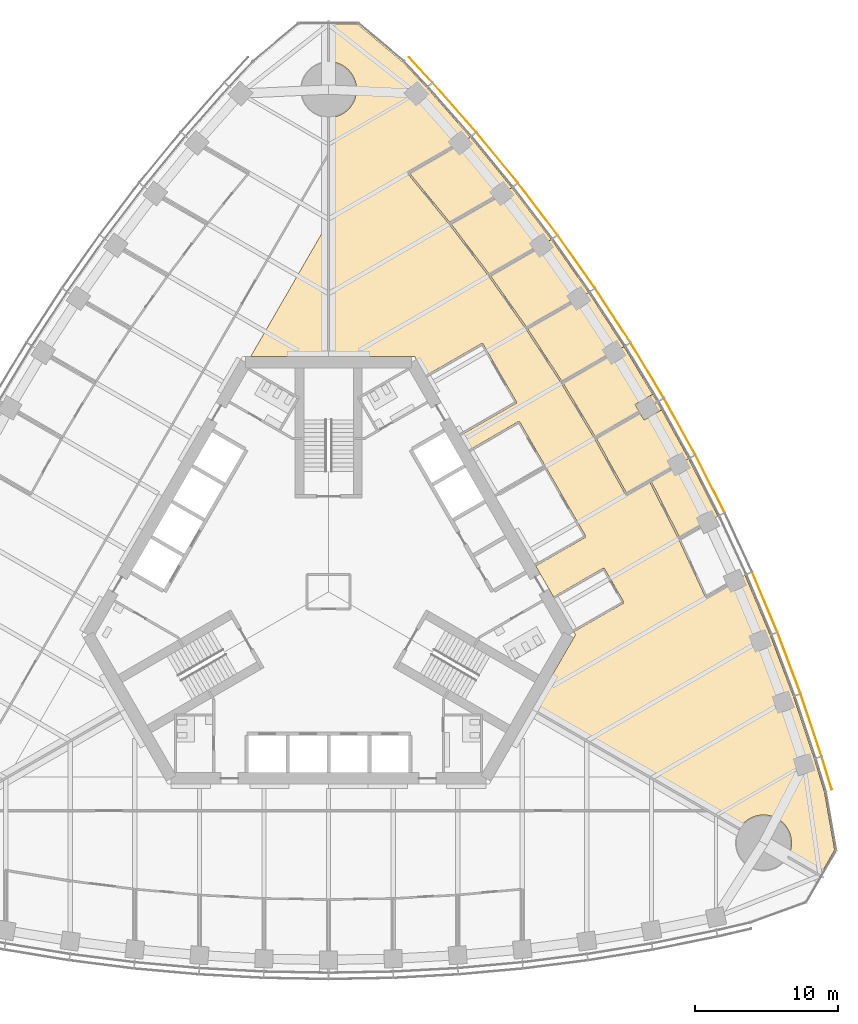
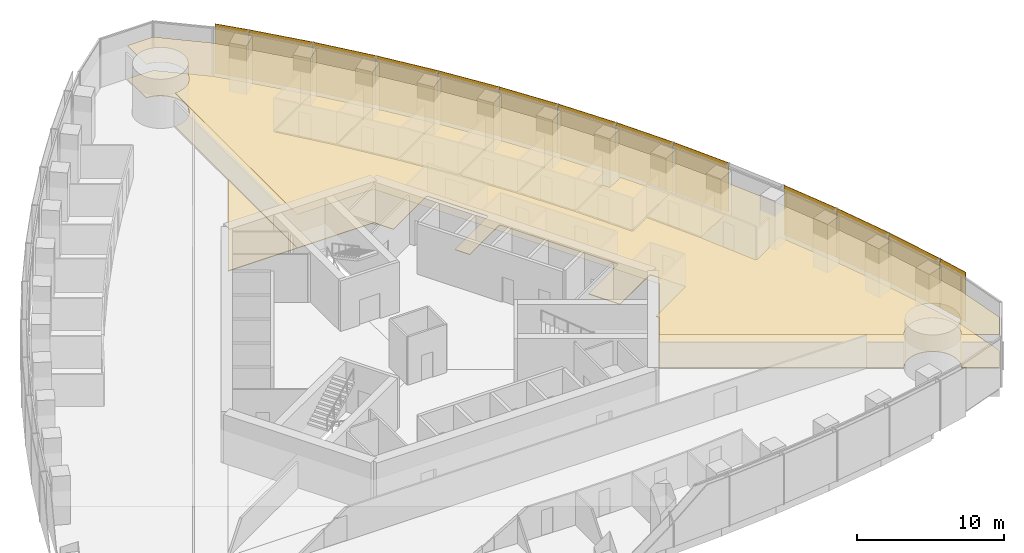
# One storey, part 19 of 21: 13 shading devices, 10 coverings.
"""IFC4 building model written with IfcOpenShell, lengths in metres."""

import ifcopenshell
import ifcopenshell.guid

model = None  # the IFC model being written
_history = None  # IfcOwnerHistory: only IFC2X3 demands one
_inside = {}  # id of a spatial element -> (the spatial element, [elements in it])
_under = {}  # id of a project, library or spatial element -> (it, [spatial elements below it])
_declared = {}  # id of a project -> (the project, [libraries it declares])
_typed = {}  # id of a type object -> (the type object, [elements of that type])
_made_of = {}  # id of a material, layer set ... -> (it, [elements and type objects made of it])


def new_model(schema):
    """Start an empty IFC model of exactly this schema.

    Asked for "IFC4X3", IfcOpenShell would pick the latest addendum, in which some entities
    have other attributes; the version numbers below select the first issue.
    IFC2X3 requires an IfcOwnerHistory on every rooted entity: one is made here for all.
    """
    global model, _history
    if schema == "IFC4X3":
        model = ifcopenshell.file(schema_version=(4, 3, 0, 0))
    else:
        model = ifcopenshell.file(schema=schema)
    _inside.clear()
    _under.clear()
    _declared.clear()
    _typed.clear()
    _made_of.clear()
    _history = None
    if model.schema == "IFC2X3":
        org = make("IfcOrganization", Name="unknown")
        user = make(
            "IfcPersonAndOrganization",
            ThePerson=make("IfcPerson", FamilyName="unknown"),
            TheOrganization=org,
        )
        app = make(
            "IfcApplication",
            ApplicationDeveloper=org,
            Version="unknown",
            ApplicationFullName="unknown",
            ApplicationIdentifier="unknown",
        )
        _history = make(
            "IfcOwnerHistory",
            OwningUser=user,
            OwningApplication=app,
            ChangeAction="ADDED",
            CreationDate=0,
        )
    return model


def make(cls, **values):
    """One entity of the class cls with the attributes given. An attribute that is None is left unset."""
    return model.create_entity(
        cls, **{name: value for name, value in values.items() if value is not None}
    )


def rooted(cls, **values):
    """An entity with a GlobalId (a new one), such as an element, a storey or a relation."""
    return make(cls, GlobalId=ifcopenshell.guid.new(), OwnerHistory=_history, **values)


def si_unit(unit_type, name, prefix=None):
    """IfcSIUnit, for example si_unit("LENGTHUNIT", "METRE", prefix="MILLI")."""
    return make("IfcSIUnit", UnitType=unit_type, Prefix=prefix, Name=name)


def assignment(units):
    """IfcUnitAssignment: the units of a project."""
    return None if units is None else make("IfcUnitAssignment", Units=units)


def point(xyz):
    """IfcCartesianPoint."""
    return None if xyz is None else make("IfcCartesianPoint", Coordinates=xyz)


def direction(xyz):
    """IfcDirection."""
    return None if xyz is None else make("IfcDirection", DirectionRatios=xyz)


def frame(location, z_axis=None, x_axis=None):
    """IfcAxis2Placement3D, a coordinate frame: its origin and axes. An axis left out is left unset."""
    return make(
        "IfcAxis2Placement3D",
        Location=point(location),
        Axis=direction(z_axis),
        RefDirection=direction(x_axis),
    )


def frame_2d(location, x_axis=None):
    """IfcAxis2Placement2D, a coordinate frame in the plane: its origin and x axis."""
    return make(
        "IfcAxis2Placement2D", Location=point(location), RefDirection=direction(x_axis)
    )


def origin():
    """The frame at (0, 0, 0) with its axes left unset."""
    return frame((0.0, 0.0, 0.0))


def origin_2d():
    """The frame at (0, 0) in the plane with its x axis left unset."""
    return frame_2d((0.0, 0.0))


def place(relative_to, where):
    """IfcLocalPlacement: puts the frame where relative to a parent placement (None: the world)."""
    return make(
        "IfcLocalPlacement", PlacementRelTo=relative_to, RelativePlacement=where
    )


def context(
    kind, dimensions, precision=None, world=None, true_north=None, identifier=None
):
    """IfcGeometricRepresentationContext, for example the 3D "Model" context."""
    return make(
        "IfcGeometricRepresentationContext",
        ContextIdentifier=identifier,
        ContextType=kind,
        CoordinateSpaceDimension=dimensions,
        Precision=precision,
        WorldCoordinateSystem=world,
        TrueNorth=true_north,
    )


def subcontext(parent, identifier, kind, view, scale=None):
    """IfcGeometricRepresentationSubContext, for example "Body" below "Model"."""
    return make(
        "IfcGeometricRepresentationSubContext",
        ContextIdentifier=identifier,
        ContextType=kind,
        ParentContext=parent,
        TargetScale=scale,
        TargetView=view,
    )


def project(units=None, contexts=None):
    """IfcProject with its units and contexts."""
    return rooted(
        "IfcProject",
        Name="project",
        RepresentationContexts=contexts,
        UnitsInContext=assignment(units),
    )


def spatial(cls, under=None, at=None, **own):
    """A site, building, storey or space (cls), placed at a placement, below another one or the project."""
    s = rooted(cls, ObjectPlacement=at, **own)
    if under is not None:
        _under.setdefault(under.id(), (under, []))[1].append(s)
    return s


def polyline(points):
    """IfcPolyline through the points."""
    return make("IfcPolyline", Points=[point(p) for p in points])


def profile(cls, at=None, kind="AREA", **sizes):
    """A parametric profile (cls). Its sizes go by their IFC names, for example OverallWidth=200.0."""
    return make(cls, ProfileType=kind, Position=at, **sizes)


def rectangle(**sizes):
    """IfcRectangleProfileDef."""
    return profile("IfcRectangleProfileDef", **sizes)


def outline(outer, holes=None, kind="AREA"):
    """IfcArbitraryClosedProfileDef: a profile drawn as a closed curve; with holes, ...WithVoids."""
    if holes is None:
        return make("IfcArbitraryClosedProfileDef", ProfileType=kind, OuterCurve=outer)
    return make(
        "IfcArbitraryProfileDefWithVoids",
        ProfileType=kind,
        OuterCurve=outer,
        InnerCurves=holes,
    )


def extrude(swept, where, along, depth):
    """IfcExtrudedAreaSolid: the profile swept, set in the frame where, extruded along a direction by depth."""
    return make(
        "IfcExtrudedAreaSolid",
        SweptArea=swept,
        Position=where,
        ExtrudedDirection=direction(along),
        Depth=depth,
    )


def shape(context_of_items, identifier, shape_type, items):
    """IfcShapeRepresentation: the items that make up one representation, for example the "Body"."""
    return make(
        "IfcShapeRepresentation",
        ContextOfItems=context_of_items,
        RepresentationIdentifier=identifier,
        RepresentationType=shape_type,
        Items=items,
    )


def material(Name=None, Category=None):
    """IfcMaterial."""
    return make("IfcMaterial", Name=Name, Category=Category)


def layer(
    of_material, thickness, ventilated=None, Name=None, Category=None, Priority=None
):
    """IfcMaterialLayer: one layer of a wall or slab, of a material (None: an air gap)."""
    return make(
        "IfcMaterialLayer",
        Material=of_material,
        LayerThickness=thickness,
        IsVentilated=ventilated,
        Name=Name,
        Category=Category,
        Priority=Priority,
    )


def layer_set(layers, Name=None):
    """IfcMaterialLayerSet."""
    return make("IfcMaterialLayerSet", MaterialLayers=layers, LayerSetName=Name)


def made_of(thing, what):
    """Note that an element or type object is made of a material, layer set ...; save() writes the relation."""
    if what is not None:
        _made_of.setdefault(what.id(), (what, []))[1].append(thing)
    return thing


def type_object(cls, material=None, **own):
    """A type object (cls), such as IfcWallType, which elements share."""
    return made_of(rooted(cls, **own), material)


def element(
    cls,
    number,
    at=None,
    inside=None,
    cuts=None,
    type_object=None,
    material=None,
    context=None,
    identifier="Body",
    shape_type=None,
    held_by="IfcProductDefinitionShape",
    body=None,
    shapes=None,
    **own,
):
    """One element of the class cls, such as IfcWall. Its Tag is "e" and its number.

    at: its placement. inside: the storey or other place that contains it. cuts: it is an
    opening in that element (IfcRelVoidsElement). A single representation is given by context,
    identifier, shape_type and body (its items); several are given by shapes. held_by: the class
    of the entity that holds the representations. save() writes the other relations.
    """
    e = rooted(cls, Tag="e%d" % number, ObjectPlacement=at, **own)
    if body is not None:
        shapes = [shape(context, identifier, shape_type, body)]
    if shapes is not None:
        e.Representation = make(held_by, Representations=shapes)
    if inside is not None:
        _inside.setdefault(inside.id(), (inside, []))[1].append(e)
    if cuts is not None:
        rooted(
            "IfcRelVoidsElement", RelatingBuildingElement=cuts, RelatedOpeningElement=e
        )
    if type_object is not None:
        _typed.setdefault(type_object.id(), (type_object, []))[1].append(e)
    return made_of(e, material)


def aggregate(whole, parts):
    """IfcRelAggregates: a whole, such as a stair, and the parts it consists of."""
    return rooted("IfcRelAggregates", RelatingObject=whole, RelatedObjects=parts)


def save(model, path):
    """Write the relations noted so far, then the file.

    IfcRelAggregates (storeys below a building ...), IfcRelContainedInSpatialStructure (elements
    in a storey), IfcRelDefinesByType, IfcRelAssociatesMaterial and IfcRelDeclares: one each for
    every whole, place, type object, material and project.
    """
    for whole, parts in _under.values():
        aggregate(whole, parts)
    for where, things in _inside.values():
        rooted(
            "IfcRelContainedInSpatialStructure",
            RelatedElements=things,
            RelatingStructure=where,
        )
    for kind, things in _typed.values():
        rooted("IfcRelDefinesByType", RelatedObjects=things, RelatingType=kind)
    for what, things in _made_of.values():
        rooted("IfcRelAssociatesMaterial", RelatedObjects=things, RelatingMaterial=what)
    for by, libraries in _declared.values():
        rooted("IfcRelDeclares", RelatingContext=by, RelatedDefinitions=libraries)
    model.write(path)


model = new_model("IFC4")

# Units and contexts
model_context = context("Model", 3, precision=1e-05, world=origin(), true_north=direction((0.0, 1.0)))
body_context = subcontext(model_context, "Body", "Model", "MODEL_VIEW")
ifc_project = project(units=[si_unit("LENGTHUNIT", "METRE"), si_unit("AREAUNIT", "SQUARE_METRE"), si_unit("VOLUMEUNIT", "CUBIC_METRE"), si_unit("PLANEANGLEUNIT", "RADIAN"), si_unit("MASSUNIT", "GRAM", prefix="KILO")], contexts=[model_context])

# Site, building, storey
site_placement = place(None, origin())
site = spatial("IfcSite", under=ifc_project, at=site_placement, CompositionType="ELEMENT")
building_placement = place(site_placement, origin())
building = spatial("IfcBuilding", under=site, at=building_placement, Name="Trefoil Bronze Tower", CompositionType="ELEMENT")
storey_placement = place(building_placement, frame((0.0, 0.0, 153.5)))
storey = spatial("IfcBuildingStorey", under=building, at=storey_placement, Name="L35", CompositionType="ELEMENT", Elevation=153.5)

# Shading devices
ifc_material_1 = material(Name="Perforated bronze sheet", Category="bronze")
ifc_layer_1 = layer(ifc_material_1, 0.0400390625)
ifc_layer_set_1 = layer_set([ifc_layer_1], Name="Bronze solar screen panel")
shading_device_type = type_object("IfcShadingDeviceType", Name="Bronze solar screen panel", PredefinedType="SHUTTER", material=ifc_layer_set_1)
shading_device_1_placement = place(storey_placement, frame((34.717529296875, -12.634765625, 0.050048828125), z_axis=(0.0, 0.0, 1.0), x_axis=(-0.291668676391, 0.956519410787, 0.0)))
element("IfcShadingDevice", 1, at=shading_device_1_placement, inside=storey, type_object=shading_device_type, Name="Solar screen CW-A L35 F2 bay 1", PredefinedType="SHUTTER", context=body_context, shape_type="SweptSolid", body=[
    extrude(rectangle(XDim=2.39013671875, YDim=0.0400390625, at=origin_2d()), origin(), (0.0, 0.0, 1.0), 4.10009765625),
])
shading_device_2_placement = place(storey_placement, frame((33.62890625, -9.286865234375, 0.050048828125), z_axis=(0.0, 0.0, 1.0), x_axis=(-0.318403749569, 0.947955195281, 0.0)))
element("IfcShadingDevice", 2, at=shading_device_2_placement, inside=storey, type_object=shading_device_type, Name="Solar screen CW-A L35 F2 bay 2", PredefinedType="SHUTTER", context=body_context, shape_type="SweptSolid", body=[
    extrude(rectangle(XDim=4.56103515625, YDim=0.0400390625, at=origin_2d()), origin(), (0.0, 0.0, 1.0), 4.10009765625),
])
shading_device_3_placement = place(storey_placement, frame((32.086669921875, -4.95849609375, 0.050048828125), z_axis=(0.0, 0.0, 1.0), x_axis=(-0.352919739707, 0.935653599002, 0.0)))
element("IfcShadingDevice", 3, at=shading_device_3_placement, inside=storey, type_object=shading_device_type, Name="Solar screen CW-A L35 F2 bay 3", PredefinedType="SHUTTER", context=body_context, shape_type="SweptSolid", body=[
    extrude(rectangle(XDim=4.5302734375, YDim=0.0400390625, at=origin_2d()), origin(), (0.0, 0.0, 1.0), 4.10009765625),
])
shading_device_4_placement = place(storey_placement, frame((30.3974609375, -0.715087890625, 0.050048828125), z_axis=(0.0, 0.0, 1.0), x_axis=(-0.386759234303, 0.922180727776, 0.0)))
element("IfcShadingDevice", 4, at=shading_device_4_placement, inside=storey, type_object=shading_device_type, Name="Solar screen CW-A L35 F2 bay 4", PredefinedType="SHUTTER", context=body_context, shape_type="SweptSolid", body=[
    extrude(rectangle(XDim=4.50634765625, YDim=0.0400390625, at=origin_2d()), origin(), (0.0, 0.0, 1.0), 4.10009765625),
])
shading_device_5_placement = place(storey_placement, frame((26.5869140625, 7.52197265625, 0.050048828125), z_axis=(0.0, 0.0, 1.0), x_axis=(-0.452448919686, 0.891790320128, 0.0)))
element("IfcShadingDevice", 5, at=shading_device_5_placement, inside=storey, type_object=shading_device_type, Name="Solar screen CW-A L35 F2 bay 6", PredefinedType="SHUTTER", context=body_context, shape_type="SweptSolid", body=[
    extrude(rectangle(XDim=4.4765625, YDim=0.0400390625, at=origin_2d()), origin(), (0.0, 0.0, 1.0), 4.10009765625),
])
for number, where, z_axis, x_axis, name in (
    (6, (24.468505859375, 11.517578125, 0.050048828125), (0.0, 0.0, 1.0), (-0.484312195836, 0.874895249138, 0.0), "Solar screen CW-A L35 F2 bay 7"),
    (7, (22.208740234375, 15.431396484375, 0.050048828125), (0.0, 0.0, 1.0), (-0.515525413486, 0.856874289526, 0.0), "Solar screen CW-A L35 F2 bay 8"),
):
    element("IfcShadingDevice", number, at=place(storey_placement, frame(where, z_axis=z_axis, x_axis=x_axis)), inside=storey, type_object=shading_device_type, Name=name, PredefinedType="SHUTTER", context=body_context, shape_type="SweptSolid", body=[
        extrude(rectangle(XDim=4.470703125, YDim=0.0400390625, at=origin_2d()), origin(), (0.0, 0.0, 1.0), 4.10009765625),
    ])
shading_device_6_placement = place(storey_placement, frame((19.8076171875, 19.263916015625, 0.050048828125), z_axis=(0.0, 0.0, 1.0), x_axis=(-0.546088612237, 0.837727418427, 0.0)))
element("IfcShadingDevice", 8, at=shading_device_6_placement, inside=storey, type_object=shading_device_type, Name="Solar screen CW-A L35 F2 bay 9", PredefinedType="SHUTTER", context=body_context, shape_type="SweptSolid", body=[
    extrude(rectangle(XDim=4.4765625, YDim=0.0400390625, at=origin_2d()), origin(), (0.0, 0.0, 1.0), 4.10009765625),
])
shading_device_7_placement = place(storey_placement, frame((17.264892578125, 23.014404296875, 0.050048828125), z_axis=(0.0, 0.0, 1.0), x_axis=(-0.575999283275, 0.817450197667, 0.0)))
element("IfcShadingDevice", 9, at=shading_device_7_placement, inside=storey, type_object=shading_device_type, Name="Solar screen CW-A L35 F2 bay 10", PredefinedType="SHUTTER", context=body_context, shape_type="SweptSolid", body=[
    extrude(rectangle(XDim=4.48828125, YDim=0.0400390625, at=origin_2d()), origin(), (0.0, 0.0, 1.0), 4.10009765625),
])
shading_device_8_placement = place(storey_placement, frame((14.579345703125, 26.6826171875, 0.050048828125), z_axis=(0.0, 0.0, 1.0), x_axis=(-0.605252319983, 0.796033685943, 0.0)))
element("IfcShadingDevice", 10, at=shading_device_8_placement, inside=storey, type_object=shading_device_type, Name="Solar screen CW-A L35 F2 bay 11", PredefinedType="SHUTTER", context=body_context, shape_type="SweptSolid", body=[
    extrude(rectangle(XDim=4.50634765625, YDim=0.0400390625, at=origin_2d()), origin(), (0.0, 0.0, 1.0), 4.10009765625),
])
shading_device_9_placement = place(storey_placement, frame((11.7490234375, 30.26708984375, 0.050048828125), z_axis=(0.0, 0.0, 1.0), x_axis=(-0.633839916024, 0.773464259584, 0.0)))
element("IfcShadingDevice", 11, at=shading_device_9_placement, inside=storey, type_object=shading_device_type, Name="Solar screen CW-A L35 F2 bay 12", PredefinedType="SHUTTER", context=body_context, shape_type="SweptSolid", body=[
    extrude(rectangle(XDim=4.5302734375, YDim=0.0400390625, at=origin_2d()), origin(), (0.0, 0.0, 1.0), 4.10009765625),
])
shading_device_10_placement = place(storey_placement, frame((8.77197265625, 33.766845703125, 0.050048828125), z_axis=(0.0, 0.0, 1.0), x_axis=(-0.661751405978, 0.749723333428, 0.0)))
element("IfcShadingDevice", 12, at=shading_device_10_placement, inside=storey, type_object=shading_device_type, Name="Solar screen CW-A L35 F2 bay 13", PredefinedType="SHUTTER", context=body_context, shape_type="SweptSolid", body=[
    extrude(rectangle(XDim=4.56103515625, YDim=0.0400390625, at=origin_2d()), origin(), (0.0, 0.0, 1.0), 4.10009765625),
])
shading_device_11_placement = place(storey_placement, frame((6.416748046875, 36.383544921875, 0.050048828125), z_axis=(0.0, 0.0, 1.0), x_axis=(-0.682535770759, 0.730852188636, 0.0)))
element("IfcShadingDevice", 13, at=shading_device_11_placement, inside=storey, type_object=shading_device_type, Name="Solar screen CW-A L35 F2 bay 14", PredefinedType="SHUTTER", context=body_context, shape_type="SweptSolid", body=[
    extrude(rectangle(XDim=2.39013671875, YDim=0.0400390625, at=origin_2d()), origin(), (0.0, 0.0, 1.0), 4.10009765625),
])

# Coverings
ifc_material_2 = material(Name="Acoustic ceiling panels", Category="mineral fibre")
ifc_layer_2 = layer(ifc_material_2, 0.02001953125)
ifc_layer_set_2 = layer_set([ifc_layer_2], Name="Office ceiling 20")
covering_type_1 = type_object("IfcCoveringType", Name="Office ceiling 20", PredefinedType="CEILING", material=ifc_layer_set_2)
covering_1_placement = place(storey_placement, frame((0.0, 0.0, 2.89990234375)))
element("IfcCovering", 14, at=covering_1_placement, inside=storey, type_object=covering_type_1, Name="Ceiling L35 Open-plan office F2", PredefinedType="CEILING", context=body_context, shape_type="SweptSolid", body=[
    extrude(outline(polyline([(6.847900390625, 35.130615234375), (9.885986328125, 31.6884765625), (12.776611328125, 28.1611328125), (15.522216796875, 24.55029296875), (18.124755859375, 20.856689453125), (20.585693359375, 17.081298828125), (22.906005859375, 13.224853515625), (25.085693359375, 9.287109375), (27.124755859375, 5.268310546875), (29.022216796875, 1.16748046875), (30.776611328125, -3.015625), (32.385986328125, -7.28271484375), (33.847900390625, -11.634765625), (34.5537109375, -13.94970703125), (35.2666015625, -17.99169921875), (34.247802734375, -19.755859375), (32.006103515625, -18.462646484375), (32.030517578125, -18.419189453125), (32.07373046875, -18.333740234375), (32.112548828125, -18.24609375), (32.14697265625, -18.156982421875), (32.177001953125, -18.066162109375), (32.202392578125, -17.973876953125), (32.223388671875, -17.88037109375), (32.23974609375, -17.7861328125), (32.25146484375, -17.691162109375), (32.258544921875, -17.595703125), (32.260986328125, -17.5), (32.258544921875, -17.404296875), (32.25146484375, -17.308837890625), (32.23974609375, -17.2138671875), (32.223388671875, -17.11962890625), (32.202392578125, -17.026123046875), (32.177001953125, -16.933837890625), (32.14697265625, -16.843017578125), (32.112548828125, -16.75390625), (32.07373046875, -16.666259765625), (32.030517578125, -16.580810546875), (31.9833984375, -16.49755859375), (31.932373046875, -16.41650390625), (31.877197265625, -16.33837890625), (31.818359375, -16.262939453125), (31.755615234375, -16.1904296875), (31.689697265625, -16.12109375), (31.620361328125, -16.05517578125), (31.548095703125, -15.99267578125), (31.472412109375, -15.93359375), (31.394287109375, -15.878662109375), (31.3134765625, -15.827392578125), (31.22998046875, -15.7802734375), (31.14453125, -15.7373046875), (31.05712890625, -15.698486328125), (30.9677734375, -15.6640625), (30.876953125, -15.634033203125), (30.78466796875, -15.6083984375), (30.69140625, -15.58740234375), (30.596923828125, -15.571044921875), (30.501953125, -15.559326171875), (30.406494140625, -15.55224609375), (30.310791015625, -15.550048828125), (30.215087890625, -15.55224609375), (30.119873046875, -15.559326171875), (30.02490234375, -15.571044921875), (29.930419921875, -15.58740234375), (29.837158203125, -15.6083984375), (29.744873046875, -15.634033203125), (29.654052734375, -15.6640625), (29.564697265625, -15.698486328125), (29.477294921875, -15.7373046875), (29.3916015625, -15.7802734375), (29.308349609375, -15.827392578125), (29.2275390625, -15.878662109375), (29.1494140625, -15.93359375), (29.07373046875, -15.99267578125), (29.001220703125, -16.05517578125), (28.931884765625, -16.12109375), (28.865966796875, -16.1904296875), (28.803466796875, -16.262939453125), (28.74462890625, -16.33837890625), (28.689453125, -16.41650390625), (28.628662109375, -16.514404296875), (14.205810546875, -8.194580078125), (17.205078125, -3.0), (6.00439453125, 16.39990234375), (0.006103515625, 16.39990234375), (0.012451171875, 33.05029296875), (0.095703125, 33.05224609375), (0.191162109375, 33.059326171875), (0.2861328125, 33.071044921875), (0.38037109375, 33.08740234375), (0.473876953125, 33.1083984375), (0.566162109375, 33.134033203125), (0.656982421875, 33.1640625), (0.74609375, 33.198486328125), (0.833740234375, 33.2373046875), (0.919189453125, 33.2802734375), (1.00244140625, 33.327392578125), (1.08349609375, 33.378662109375), (1.16162109375, 33.43359375), (1.237060546875, 33.49267578125), (1.3095703125, 33.55517578125), (1.37890625, 33.62109375), (1.44482421875, 33.6904296875), (1.50732421875, 33.762939453125), (1.56640625, 33.83837890625), (1.621337890625, 33.91650390625), (1.672607421875, 33.99755859375), (1.7197265625, 34.080810546875), (1.7626953125, 34.166259765625), (1.801513671875, 34.25390625), (1.8359375, 34.343017578125), (1.865966796875, 34.433837890625), (1.8916015625, 34.526123046875), (1.91259765625, 34.61962890625), (1.928955078125, 34.7138671875), (1.940673828125, 34.808837890625), (1.94775390625, 34.904296875), (1.949951171875, 35.0), (1.94775390625, 35.095703125), (1.940673828125, 35.191162109375), (1.928955078125, 35.2861328125), (1.91259765625, 35.38037109375), (1.8916015625, 35.473876953125), (1.865966796875, 35.566162109375), (1.8359375, 35.656982421875), (1.801513671875, 35.74609375), (1.7626953125, 35.833740234375), (1.7197265625, 35.919189453125), (1.672607421875, 36.00244140625), (1.621337890625, 36.08349609375), (1.56640625, 36.16162109375), (1.50732421875, 36.237060546875), (1.44482421875, 36.3095703125), (1.37890625, 36.37890625), (1.3095703125, 36.44482421875), (1.237060546875, 36.50732421875), (1.16162109375, 36.56640625), (1.08349609375, 36.621337890625), (1.00244140625, 36.672607421875), (0.919189453125, 36.7197265625), (0.833740234375, 36.7626953125), (0.74609375, 36.801513671875), (0.656982421875, 36.8359375), (0.566162109375, 36.865966796875), (0.473876953125, 36.8916015625), (0.38037109375, 36.91259765625), (0.2861328125, 36.928955078125), (0.191162109375, 36.940673828125), (0.095703125, 36.94775390625), (0.013916015625, 36.94970703125), (0.014892578125, 39.53759765625), (2.052001953125, 39.53759765625), (5.1962890625, 36.8994140625), (6.847900390625, 35.130615234375)])), origin(), (0.0, 0.0, 1.0), 0.02001953125),
])
ifc_material_3 = material(Name="Raised access floor panels", Category="steel")
ifc_layer_3 = layer(ifc_material_3, 0.050048828125)
ifc_layer_set_3 = layer_set([ifc_layer_3], Name="Raised access floor 150")
covering_type_2 = type_object("IfcCoveringType", Name="Raised access floor 150", PredefinedType="FLOORING", material=ifc_layer_set_3)
covering_2_placement = place(storey_placement, frame((0.0, 0.0, 0.10009765625)))
element("IfcCovering", 15, at=covering_2_placement, inside=storey, type_object=covering_type_2, Name="Raised floor L35 Office F2", PredefinedType="FLOORING", context=body_context, shape_type="SweptSolid", body=[
    extrude(outline(polyline([(11.50341796875, 27.426025390625), (11.473388671875, 27.47802734375), (8.460693359375, 25.73876953125), (5.647216796875, 29.171875), (8.63525390625, 30.89697265625), (8.605224609375, 30.948974609375), (9.885986328125, 31.6884765625), (12.776611328125, 28.1611328125), (11.50341796875, 27.426025390625)])), origin(), (0.0, 0.0, 1.0), 0.0498046875),
])
covering_3_placement = place(storey_placement, frame((0.0, 0.0, 0.10009765625)))
element("IfcCovering", 16, at=covering_3_placement, inside=storey, type_object=covering_type_2, Name="Raised floor L35 Office F2", PredefinedType="FLOORING", context=body_context, shape_type="SweptSolid", body=[
    extrude(outline(polyline([(14.2548828125, 23.818603515625), (14.224853515625, 23.870361328125), (11.2080078125, 22.128662109375), (8.53564453125, 25.643310546875), (11.533447265625, 27.3740234375), (11.50341796875, 27.426025390625), (12.776611328125, 28.1611328125), (15.522216796875, 24.55029296875), (14.2548828125, 23.818603515625)])), origin(), (0.0, 0.0, 1.0), 0.0498046875),
])
covering_4_placement = place(storey_placement, frame((0.0, 0.0, 0.10009765625)))
element("IfcCovering", 17, at=covering_4_placement, inside=storey, type_object=covering_type_2, Name="Raised floor L35 Office F2", PredefinedType="FLOORING", context=body_context, shape_type="SweptSolid", body=[
    extrude(outline(polyline([(15.522216796875, 24.55029296875), (18.124755859375, 20.856689453125), (16.861572265625, 20.127197265625), (16.83154296875, 20.17919921875), (13.812255859375, 18.43603515625), (11.279052734375, 22.031005859375), (14.284912109375, 23.7666015625), (14.2548828125, 23.818603515625), (15.522216796875, 24.55029296875)])), origin(), (0.0, 0.0, 1.0), 0.0498046875),
])
covering_5_placement = place(storey_placement, frame((0.0, 0.0, 0.10009765625)))
element("IfcCovering", 18, at=covering_5_placement, inside=storey, type_object=covering_type_2, Name="Raised floor L35 Office F2", PredefinedType="FLOORING", context=body_context, shape_type="SweptSolid", body=[
    extrude(outline(polyline([(18.124755859375, 20.856689453125), (20.585693359375, 17.081298828125), (19.324951171875, 16.353515625), (19.294921875, 16.405517578125), (16.27490234375, 14.661865234375), (13.879638671875, 18.33642578125), (16.8916015625, 20.0751953125), (16.861572265625, 20.127197265625), (18.124755859375, 20.856689453125)])), origin(), (0.0, 0.0, 1.0), 0.0498046875),
])
covering_6_placement = place(storey_placement, frame((0.0, 0.0, 0.10009765625)))
element("IfcCovering", 19, at=covering_6_placement, inside=storey, type_object=covering_type_2, Name="Raised floor L35 Office F2", PredefinedType="FLOORING", context=body_context, shape_type="SweptSolid", body=[
    extrude(outline(polyline([(21.64599609375, 12.497314453125), (21.615966796875, 12.54931640625), (18.596923828125, 10.806396484375), (16.338623046875, 14.56005859375), (19.35498046875, 16.301513671875), (19.324951171875, 16.353515625), (20.585693359375, 17.081298828125), (22.583251953125, 13.76123046875), (21.358154296875, 13.053955078125), (21.671142578125, 12.51171875), (21.64599609375, 12.497314453125)])), origin(), (0.0, 0.0, 1.0), 0.0498046875),
])
covering_7_placement = place(storey_placement, frame((0.0, 0.0, 0.10009765625)))
element("IfcCovering", 20, at=covering_7_placement, inside=storey, type_object=covering_type_2, Name="Raised floor L35 Office F2", PredefinedType="FLOORING", context=body_context, shape_type="SweptSolid", body=[
    extrude(outline(polyline([(23.824951171875, 8.55908203125), (23.794921875, 8.611083984375), (20.778564453125, 6.86962890625), (18.656982421875, 10.702392578125), (21.676025390625, 12.4453125), (21.64599609375, 12.497314453125), (21.671142578125, 12.51171875), (21.984130859375, 11.9697265625), (23.209228515625, 12.677001953125), (25.085693359375, 9.287109375), (23.824951171875, 8.55908203125)])), origin(), (0.0, 0.0, 1.0), 0.0498046875),
])
covering_8_placement = place(storey_placement, frame((0.0, 0.0, 0.10009765625)))
element("IfcCovering", 21, at=covering_8_placement, inside=storey, type_object=covering_type_2, Name="Raised floor L35 Print and store room F2", PredefinedType="FLOORING", context=body_context, shape_type="SweptSolid", body=[
    extrude(outline(polyline([(25.861572265625, 4.538818359375), (25.83154296875, 4.5908203125), (24.465087890625, 3.802001953125), (22.48046875, 7.713623046875), (23.85498046875, 8.507080078125), (23.824951171875, 8.55908203125), (25.085693359375, 9.287109375), (27.124755859375, 5.268310546875), (25.861572265625, 4.538818359375)])), origin(), (0.0, 0.0, 1.0), 0.0498046875),
])
covering_9_placement = place(storey_placement, frame((0.0, 0.0, 0.10009765625)))
element("IfcCovering", 22, at=covering_9_placement, inside=storey, type_object=covering_type_2, Name="Raised floor L35 Open-plan office F2", PredefinedType="FLOORING", context=body_context, shape_type="SweptSolid", body=[
    extrude(outline(polyline([(6.847900390625, 35.130615234375), (9.885986328125, 31.6884765625), (8.605224609375, 30.948974609375), (8.5751953125, 31.0009765625), (5.52587890625, 29.240478515625), (5.555908203125, 29.1884765625), (5.509521484375, 29.150390625), (8.3994140625, 25.6240234375), (11.143798828125, 22.014892578125), (13.7451171875, 18.322998046875), (16.204833984375, 14.549560546875), (18.52392578125, 10.69482421875), (20.703125, 6.758056640625), (20.755615234375, 6.787109375), (20.78564453125, 6.735107421875), (22.376220703125, 7.653564453125), (24.38623046875, 3.692138671875), (26.283203125, -0.40771484375), (26.337646484375, -0.38232421875), (26.36767578125, -0.434326171875), (27.784912109375, 0.3837890625), (27.7548828125, 0.435791015625), (29.022216796875, 1.16748046875), (30.776611328125, -3.015625), (32.385986328125, -7.28271484375), (33.847900390625, -11.634765625), (34.5537109375, -13.94970703125), (35.2666015625, -17.99169921875), (34.247802734375, -19.755859375), (32.006103515625, -18.462646484375), (32.030517578125, -18.419189453125), (32.07373046875, -18.333740234375), (32.112548828125, -18.24609375), (32.14697265625, -18.156982421875), (32.177001953125, -18.066162109375), (32.202392578125, -17.973876953125), (32.223388671875, -17.88037109375), (32.23974609375, -17.7861328125), (32.25146484375, -17.691162109375), (32.258544921875, -17.595703125), (32.260986328125, -17.5), (32.258544921875, -17.404296875), (32.25146484375, -17.308837890625), (32.23974609375, -17.2138671875), (32.223388671875, -17.11962890625), (32.202392578125, -17.026123046875), (32.177001953125, -16.933837890625), (32.14697265625, -16.843017578125), (32.112548828125, -16.75390625), (32.07373046875, -16.666259765625), (32.030517578125, -16.580810546875), (31.9833984375, -16.49755859375), (31.932373046875, -16.41650390625), (31.877197265625, -16.33837890625), (31.818359375, -16.262939453125), (31.755615234375, -16.1904296875), (31.689697265625, -16.12109375), (31.620361328125, -16.05517578125), (31.548095703125, -15.99267578125), (31.472412109375, -15.93359375), (31.394287109375, -15.878662109375), (31.3134765625, -15.827392578125), (31.22998046875, -15.7802734375), (31.14453125, -15.7373046875), (31.05712890625, -15.698486328125), (30.9677734375, -15.6640625), (30.876953125, -15.634033203125), (30.78466796875, -15.6083984375), (30.69140625, -15.58740234375), (30.596923828125, -15.571044921875), (30.501953125, -15.559326171875), (30.406494140625, -15.55224609375), (30.310791015625, -15.550048828125), (30.215087890625, -15.55224609375), (30.119873046875, -15.559326171875), (30.02490234375, -15.571044921875), (29.930419921875, -15.58740234375), (29.837158203125, -15.6083984375), (29.744873046875, -15.634033203125), (29.654052734375, -15.6640625), (29.564697265625, -15.698486328125), (29.477294921875, -15.7373046875), (29.3916015625, -15.7802734375), (29.308349609375, -15.827392578125), (29.2275390625, -15.878662109375), (29.1494140625, -15.93359375), (29.07373046875, -15.99267578125), (29.001220703125, -16.05517578125), (28.931884765625, -16.12109375), (28.865966796875, -16.1904296875), (28.803466796875, -16.262939453125), (28.74462890625, -16.33837890625), (28.689453125, -16.41650390625), (28.628662109375, -16.514404296875), (14.205810546875, -8.194580078125), (17.205078125, -3.0), (17.084716796875, -2.79150390625), (20.548828125, -0.79150390625), (20.518798828125, -0.73974609375), (20.57080078125, -0.709716796875), (19.220703125, 1.628662109375), (19.168701171875, 1.5986328125), (19.138916015625, 1.650634765625), (15.6748046875, -0.349365234375), (14.434814453125, 1.79833984375), (17.898681640625, 3.79833984375), (17.868896484375, 3.850341796875), (17.9208984375, 3.88037109375), (13.32080078125, 11.84765625), (13.268798828125, 11.817626953125), (13.23876953125, 11.86962890625), (9.774658203125, 9.86962890625), (9.184814453125, 10.8916015625), (13.081787109375, 13.1416015625), (13.052001953125, 13.193603515625), (13.103759765625, 13.223388671875), (10.75390625, 17.293701171875), (10.701904296875, 17.263916015625), (10.671875, 17.31591796875), (6.774658203125, 15.06591796875), (6.00439453125, 16.39990234375), (0.006103515625, 16.39990234375), (0.012451171875, 33.05029296875), (0.095703125, 33.05224609375), (0.191162109375, 33.059326171875), (0.2861328125, 33.071044921875), (0.38037109375, 33.08740234375), (0.473876953125, 33.1083984375), (0.566162109375, 33.134033203125), (0.656982421875, 33.1640625), (0.74609375, 33.198486328125), (0.833740234375, 33.2373046875), (0.919189453125, 33.2802734375), (1.00244140625, 33.327392578125), (1.08349609375, 33.378662109375), (1.16162109375, 33.43359375), (1.237060546875, 33.49267578125), (1.3095703125, 33.55517578125), (1.37890625, 33.62109375), (1.44482421875, 33.6904296875), (1.50732421875, 33.762939453125), (1.56640625, 33.83837890625), (1.621337890625, 33.91650390625), (1.672607421875, 33.99755859375), (1.7197265625, 34.080810546875), (1.7626953125, 34.166259765625), (1.801513671875, 34.25390625), (1.8359375, 34.343017578125), (1.865966796875, 34.433837890625), (1.8916015625, 34.526123046875), (1.91259765625, 34.61962890625), (1.928955078125, 34.7138671875), (1.940673828125, 34.808837890625), (1.94775390625, 34.904296875), (1.949951171875, 35.0), (1.94775390625, 35.095703125), (1.940673828125, 35.191162109375), (1.928955078125, 35.2861328125), (1.91259765625, 35.38037109375), (1.8916015625, 35.473876953125), (1.865966796875, 35.566162109375), (1.8359375, 35.656982421875), (1.801513671875, 35.74609375), (1.7626953125, 35.833740234375), (1.7197265625, 35.919189453125), (1.672607421875, 36.00244140625), (1.621337890625, 36.08349609375), (1.56640625, 36.16162109375), (1.50732421875, 36.237060546875), (1.44482421875, 36.3095703125), (1.37890625, 36.37890625), (1.3095703125, 36.44482421875), (1.237060546875, 36.50732421875), (1.16162109375, 36.56640625), (1.08349609375, 36.621337890625), (1.00244140625, 36.672607421875), (0.919189453125, 36.7197265625), (0.833740234375, 36.7626953125), (0.74609375, 36.801513671875), (0.656982421875, 36.8359375), (0.566162109375, 36.865966796875), (0.473876953125, 36.8916015625), (0.38037109375, 36.91259765625), (0.2861328125, 36.928955078125), (0.191162109375, 36.940673828125), (0.095703125, 36.94775390625), (0.013916015625, 36.94970703125), (0.014892578125, 39.53759765625), (2.052001953125, 39.53759765625), (5.1962890625, 36.8994140625), (6.847900390625, 35.130615234375)])), origin(), (0.0, 0.0, 1.0), 0.0498046875),
])
covering_10_placement = place(storey_placement, frame((0.0, 0.0, 0.10009765625)))
element("IfcCovering", 23, at=covering_10_placement, inside=storey, type_object=covering_type_2, Name="Raised floor L35 Open-plan office F3", PredefinedType="FLOORING", context=body_context, shape_type="SweptSolid", body=[
    extrude(outline(polyline([(-0.009765625, 25.783203125), (-0.006103515625, 16.39990234375), (-5.427001953125, 16.39990234375), (-0.009765625, 25.783203125)])), origin(), (0.0, 0.0, 1.0), 0.0498046875),
])

save(model, "model.ifc")
